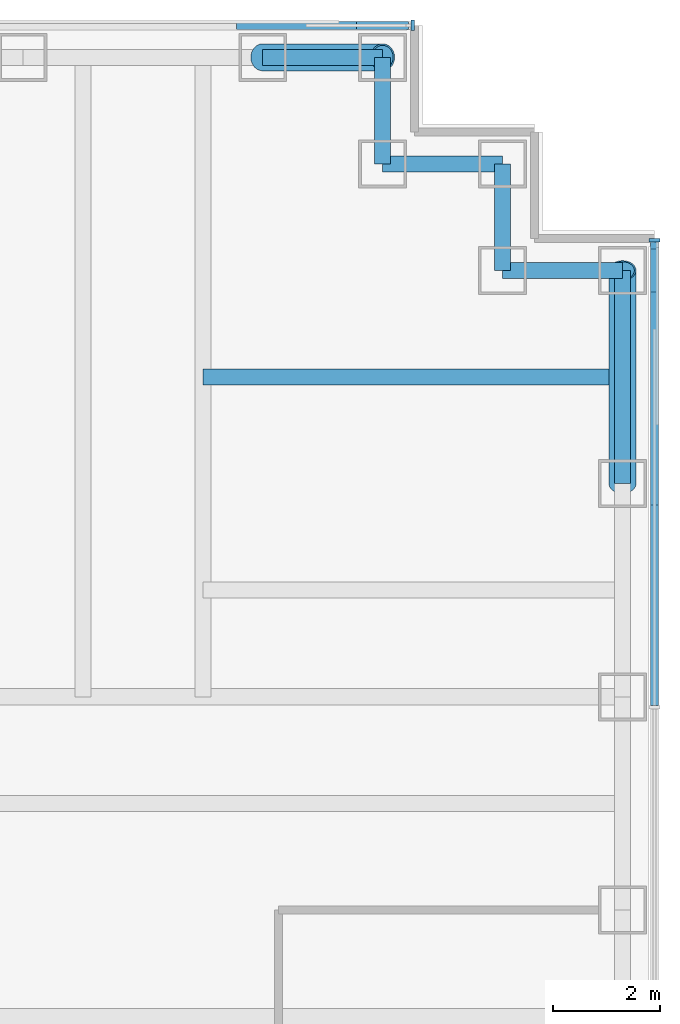
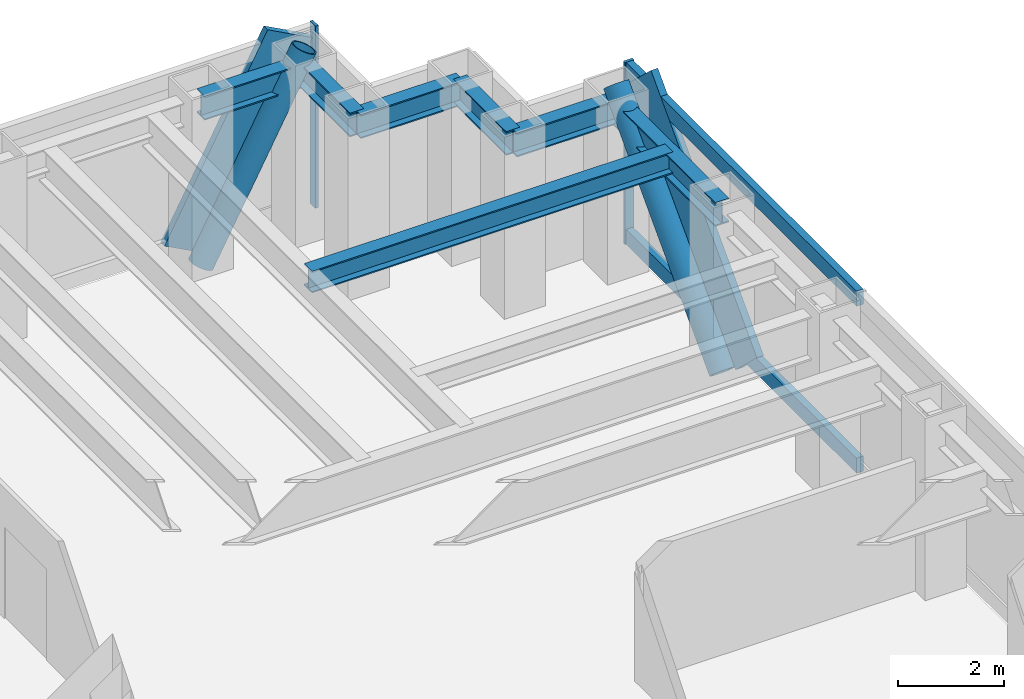
# One storey, part 9 of 15: 8 members, 7 beams, 2 elements without a shape of their own.
"""IFC4 building model written with IfcOpenShell, lengths in metres."""

from ifc_helpers import new_model, si_unit, direction, frame, origin, origin_2d, place, context, subcontext, project, spatial, rectangle, hollow_circle, i_section, extrude, material, material_profile, profile_set, type_object, element, aggregate, save


model = new_model("IFC4")

# Units and contexts
model_context = context("Model", 3, precision=1e-05, world=origin(), true_north=direction((0.0, 1.0)))
body_context = subcontext(model_context, "Body", "Model", "MODEL_VIEW")
ifc_project = project(units=[si_unit("LENGTHUNIT", "METRE"), si_unit("AREAUNIT", "SQUARE_METRE"), si_unit("VOLUMEUNIT", "CUBIC_METRE"), si_unit("PLANEANGLEUNIT", "RADIAN"), si_unit("MASSUNIT", "GRAM", prefix="KILO")], contexts=[model_context])

# Site, building, storey
site_placement = place(None, origin())
site = spatial("IfcSite", under=ifc_project, at=site_placement, CompositionType="ELEMENT")
building_placement = place(site_placement, origin())
building = spatial("IfcBuilding", under=site, at=building_placement, Name="Rheinbord Bourse Tower", CompositionType="ELEMENT")
storey_placement = place(building_placement, frame((0.0, 0.0, 329.89990234375)))
storey = spatial("IfcBuildingStorey", under=building, at=storey_placement, Name="L75", CompositionType="ELEMENT", Elevation=329.89990234375)

# Curtain wall, member
ifc_material_1 = material(Name="Dark glass and black aluminium", Category="aluminium")
curtain_wall_type = type_object("IfcCurtainWallType", Name="CW3 DARK GLASS CURTAIN WALL", PredefinedType="USERDEFINED", material=ifc_material_1)
curtain_wall_1_placement = place(storey_placement, origin())
curtain_wall_1 = element("IfcCurtainWall", 1, at=curtain_wall_1_placement, inside=storey, type_object=curtain_wall_type, Name="Curtain wall CW3 E L75", ObjectType="UNITISED CURTAIN WALL", PredefinedType="USERDEFINED")
ifc_material_2 = material(Name="Black anodised aluminium", Category="aluminium")
ifc_material_profile_1 = material_profile(ifc_material_2, rectangle(XDim=0.14990234375, YDim=1.10791015625, at=origin_2d()), Name="CW3 DIAGONAL MULLION 1108x150")
ifc_profile_set_1 = profile_set([ifc_material_profile_1], Name="Black anodised aluminium")
member_type_1 = type_object("IfcMemberType", Name="CW3 BLACK DIAGONAL MULLION", PredefinedType="USERDEFINED", material=ifc_profile_set_1)
member_1_placement = place(storey_placement, frame((70.35009765625, 36.0, 0.0), z_axis=(0.0, 0.689638355374, 0.72415394689), x_axis=(-1.0, 0.0, 0.0)))
member_1 = element("IfcMember", 2, at=member_1_placement, type_object=member_type_1, Name="CW3 diagonal mullion c", ObjectType="DIAGONAL MULLION", PredefinedType="USERDEFINED", context=body_context, shape_type="SweptSolid", body=[
    extrude(rectangle(XDim=0.14990234375, YDim=1.10791015625, at=origin_2d()), origin(), (0.0, 0.0, 1.0), 5.800048828125),
])

curtain_wall_2_placement = place(storey_placement, origin())
curtain_wall_2 = element("IfcCurtainWall", 3, at=curtain_wall_2_placement, inside=storey, type_object=curtain_wall_type, Name="Curtain wall CW3 N L75", ObjectType="UNITISED CURTAIN WALL", PredefinedType="USERDEFINED")
member_2_placement = place(storey_placement, frame((63.0, 44.60009765625, 0.0), z_axis=(0.472204350203, 0.0, 0.881489110341), x_axis=(0.0, 1.0, 0.0)))
member_2 = element("IfcMember", 4, at=member_2_placement, type_object=member_type_1, Name="CW3 diagonal mullion d", ObjectType="DIAGONAL MULLION", PredefinedType="USERDEFINED", context=body_context, shape_type="SweptSolid", body=[
    extrude(rectangle(XDim=0.14990234375, YDim=1.10791015625, at=origin_2d()), origin(), (0.0, 0.0, 1.0), 4.764892578125),
])

# Member
ifc_material_3 = material(Name="Black anodised aluminium", Category="aluminium")
ifc_material_profile_2 = material_profile(ifc_material_3, rectangle(XDim=0.199951171875, YDim=0.06494140625, at=origin_2d()), Name="CW3 MULLION 65x200")
ifc_profile_set_2 = profile_set([ifc_material_profile_2], Name="Black anodised aluminium")
member_type_2 = type_object("IfcMemberType", Name="CW3 BLACK MULLION", PredefinedType="MULLION", material=ifc_profile_set_2)
member_3_placement = place(storey_placement, frame((70.35009765625, 40.5673828125, 0.0), z_axis=(0.0, 0.0, 1.0), x_axis=(-1.0, 0.0, 0.0)))
member_3 = element("IfcMember", 5, at=member_3_placement, type_object=member_type_2, Name="CW3 mullion 5", PredefinedType="MULLION", context=body_context, shape_type="SweptSolid", body=[
    extrude(rectangle(XDim=0.199951171875, YDim=0.06494140625, at=origin_2d()), origin(), (0.0, 0.0, 1.0), 4.2001953125),
])

member_4_placement = place(storey_placement, frame((65.8173828125, 44.60009765625, 0.0), z_axis=(0.0, 0.0, 1.0), x_axis=(0.0, -1.0, 0.0)))
member_4 = element("IfcMember", 6, at=member_4_placement, type_object=member_type_2, Name="CW3 mullion 1", PredefinedType="MULLION", context=body_context, shape_type="SweptSolid", body=[
    extrude(rectangle(XDim=0.199951171875, YDim=0.06494140625, at=origin_2d()), origin(), (0.0, 0.0, 1.0), 4.2001953125),
])

aggregate(curtain_wall_2, [member_4, member_2])

ifc_material_4 = material(Name="Black anodised aluminium", Category="aluminium")
ifc_material_profile_3 = material_profile(ifc_material_4, rectangle(XDim=0.14990234375, YDim=0.35009765625, at=origin_2d()), Name="CW3 TRANSOM 350x150")
ifc_profile_set_3 = profile_set([ifc_material_profile_3], Name="Black anodised aluminium")
member_type_3 = type_object("IfcMemberType", Name="CW3 BLACK TRANSOM", PredefinedType="USERDEFINED", material=ifc_profile_set_3)
member_5_placement = place(storey_placement, frame((70.35009765625, 31.83251953125, 0.175048828125), z_axis=(0.0, 1.0, 0.0), x_axis=(-1.0, 0.0, 0.0)))
member_5 = element("IfcMember", 7, at=member_5_placement, type_object=member_type_3, Name="CW3 transom 4.1", ObjectType="TRANSOM", PredefinedType="USERDEFINED", context=body_context, shape_type="SweptSolid", body=[
    extrude(rectangle(XDim=0.14990234375, YDim=0.35009765625, at=origin_2d()), origin(), (0.0, 0.0, 1.0), 8.702392578125),
])

member_6_placement = place(storey_placement, frame((70.35009765625, 31.83251953125, 4.025146484375), z_axis=(0.0, 1.0, 0.0), x_axis=(-1.0, 0.0, 0.0)))
member_6 = element("IfcMember", 8, at=member_6_placement, type_object=member_type_3, Name="CW3 transom 4.2", ObjectType="TRANSOM", PredefinedType="USERDEFINED", context=body_context, shape_type="SweptSolid", body=[
    extrude(rectangle(XDim=0.14990234375, YDim=0.35009765625, at=origin_2d()), origin(), (0.0, 0.0, 1.0), 8.702392578125),
])

aggregate(curtain_wall_1, [member_3, member_5, member_6, member_1])

# Members
ifc_material_5 = material(Name="Steel S460", Category="steel")
ifc_material_profile_4 = material_profile(ifc_material_5, hollow_circle(Radius=0.25390625, WallThickness=0.030029296875, at=origin_2d()), Name="CHS 508x30")
ifc_profile_set_4 = profile_set([ifc_material_profile_4], Name="Steel S460")
member_type_4 = type_object("IfcMemberType", Name="MEGABRACE CHS 508x30", PredefinedType="BRACE", material=ifc_profile_set_4)
member_7_placement = place(storey_placement, frame((69.75, 36.0, 0.0), z_axis=(0.0, 0.689638355374, 0.72415394689), x_axis=(-1.0, 0.0, 0.0)))
element("IfcMember", 9, at=member_7_placement, inside=storey, type_object=member_type_4, Name="Megabrace E face line c L75", PredefinedType="BRACE", context=body_context, shape_type="SweptSolid", body=[
    extrude(hollow_circle(Radius=0.25390625, WallThickness=0.030029296875, at=origin_2d()), origin(), (0.0, 0.0, 1.0), 5.800048828125),
])
member_8_placement = place(storey_placement, frame((63.0, 44.0, 0.0), z_axis=(0.472204350203, 0.0, 0.881489110341), x_axis=(0.0, 1.0, 0.0)))
element("IfcMember", 10, at=member_8_placement, inside=storey, type_object=member_type_4, Name="Megabrace N face line d L75", PredefinedType="BRACE", context=body_context, shape_type="SweptSolid", body=[
    extrude(hollow_circle(Radius=0.25390625, WallThickness=0.030029296875, at=origin_2d()), origin(), (0.0, 0.0, 1.0), 4.764892578125),
])

# Beams
ifc_material_6 = material(Name="Steel S460", Category="steel")
ifc_material_profile_5 = material_profile(ifc_material_6, i_section(OverallWidth=0.300048828125, OverallDepth=0.550048828125, WebThickness=0.014892578125, FlangeThickness=0.029052734375, at=origin_2d()), Name="HEB 550")
ifc_profile_set_5 = profile_set([ifc_material_profile_5], Name="Steel S460")
beam_type_1 = type_object("IfcBeamType", Name="SPANDREL HEB 550", PredefinedType="SPANDREL", material=ifc_profile_set_5)
beam_1_placement = place(storey_placement, frame((69.75, 36.0, 3.675048828125), z_axis=(0.0, 1.0, 0.0), x_axis=(-1.0, 0.0, 0.0)))
element("IfcBeam", 11, at=beam_1_placement, inside=storey, type_object=beam_type_1, Name="Spandrel E-36-NE-A under RF", PredefinedType="SPANDREL", context=body_context, shape_type="SweptSolid", body=[
    extrude(i_section(OverallWidth=0.300048828125, OverallDepth=0.550048828125, WebThickness=0.014892578125, FlangeThickness=0.029052734375, at=origin_2d()), origin(), (0.0, 0.0, 1.0), 4.0),
])
beam_2_placement = place(storey_placement, frame((69.75, 40.0, 3.675048828125), z_axis=(-1.0, 0.0, 0.0), x_axis=(0.0, -1.0, 0.0)))
element("IfcBeam", 12, at=beam_2_placement, inside=storey, type_object=beam_type_1, Name="Spandrel NE-A-NE-B under RF", PredefinedType="SPANDREL", context=body_context, shape_type="SweptSolid", body=[
    extrude(i_section(OverallWidth=0.300048828125, OverallDepth=0.550048828125, WebThickness=0.014892578125, FlangeThickness=0.029052734375, at=origin_2d()), origin(), (0.0, 0.0, 1.0), 2.25),
])
beam_3_placement = place(storey_placement, frame((67.5, 40.0, 3.675048828125), z_axis=(0.0, 1.0, 0.0), x_axis=(-1.0, 0.0, 0.0)))
element("IfcBeam", 13, at=beam_3_placement, inside=storey, type_object=beam_type_1, Name="Spandrel NE-B-NE-C under RF", PredefinedType="SPANDREL", context=body_context, shape_type="SweptSolid", body=[
    extrude(i_section(OverallWidth=0.300048828125, OverallDepth=0.550048828125, WebThickness=0.014892578125, FlangeThickness=0.029052734375, at=origin_2d()), origin(), (0.0, 0.0, 1.0), 2.0),
])
beam_4_placement = place(storey_placement, frame((67.5, 42.0, 3.675048828125), z_axis=(-1.0, 0.0, 0.0), x_axis=(0.0, -1.0, 0.0)))
element("IfcBeam", 14, at=beam_4_placement, inside=storey, type_object=beam_type_1, Name="Spandrel NE-C-NE-D under RF", PredefinedType="SPANDREL", context=body_context, shape_type="SweptSolid", body=[
    extrude(i_section(OverallWidth=0.300048828125, OverallDepth=0.550048828125, WebThickness=0.014892578125, FlangeThickness=0.029052734375, at=origin_2d()), origin(), (0.0, 0.0, 1.0), 2.25),
])
beam_5_placement = place(storey_placement, frame((65.25, 42.0, 3.675048828125), z_axis=(0.0, 1.0, 0.0), x_axis=(-1.0, 0.0, 0.0)))
element("IfcBeam", 15, at=beam_5_placement, inside=storey, type_object=beam_type_1, Name="Spandrel NE-D-NE-E under RF", PredefinedType="SPANDREL", context=body_context, shape_type="SweptSolid", body=[
    extrude(i_section(OverallWidth=0.300048828125, OverallDepth=0.550048828125, WebThickness=0.014892578125, FlangeThickness=0.029052734375, at=origin_2d()), origin(), (0.0, 0.0, 1.0), 2.0),
])
beam_6_placement = place(storey_placement, frame((65.25, 44.0, 3.675048828125), z_axis=(-1.0, 0.0, 0.0), x_axis=(0.0, -1.0, 0.0)))
element("IfcBeam", 16, at=beam_6_placement, inside=storey, type_object=beam_type_1, Name="Spandrel NE-E-N-63 under RF", PredefinedType="SPANDREL", context=body_context, shape_type="SweptSolid", body=[
    extrude(i_section(OverallWidth=0.300048828125, OverallDepth=0.550048828125, WebThickness=0.014892578125, FlangeThickness=0.029052734375, at=origin_2d()), origin(), (0.0, 0.0, 1.0), 2.25),
])
ifc_material_7 = material(Name="Steel S460", Category="steel")
ifc_material_profile_6 = material_profile(ifc_material_7, i_section(OverallWidth=0.300048828125, OverallDepth=0.5, WebThickness=0.014404296875, FlangeThickness=0.028076171875, at=origin_2d()), Name="HEB 500")
ifc_profile_set_6 = profile_set([ifc_material_profile_6], Name="Steel S460")
beam_type_2 = type_object("IfcBeamType", Name="TIE BEAM HEB 500", PredefinedType="JOIST", material=ifc_profile_set_6)
beam_7_placement = place(storey_placement, frame((61.875, 38.0, 3.7001953125), z_axis=(1.0, 0.0, 0.0), x_axis=(0.0, 1.0, 0.0)))
element("IfcBeam", 17, at=beam_7_placement, inside=storey, type_object=beam_type_2, Name="Tie east 38 RF", PredefinedType="JOIST", context=body_context, shape_type="SweptSolid", body=[
    extrude(i_section(OverallWidth=0.300048828125, OverallDepth=0.5, WebThickness=0.014404296875, FlangeThickness=0.028076171875, at=origin_2d()), origin(), (0.0, 0.0, 1.0), 7.875),
])

save(model, "model.ifc")
